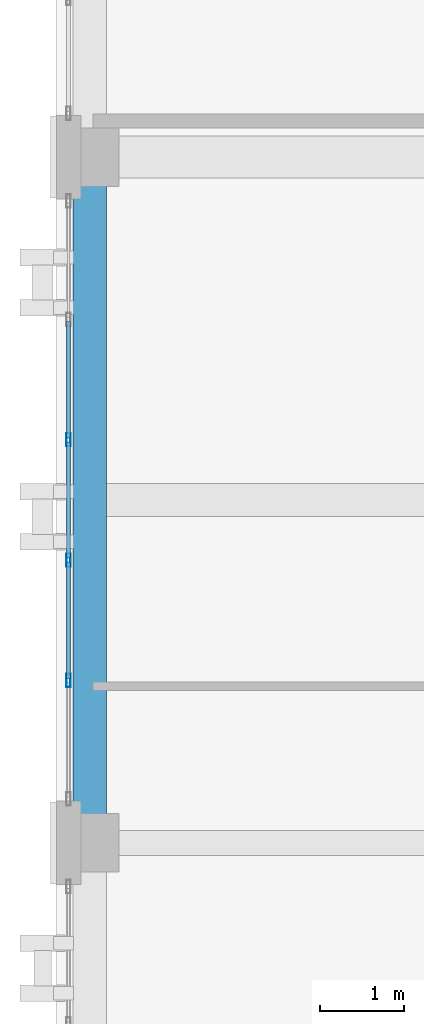
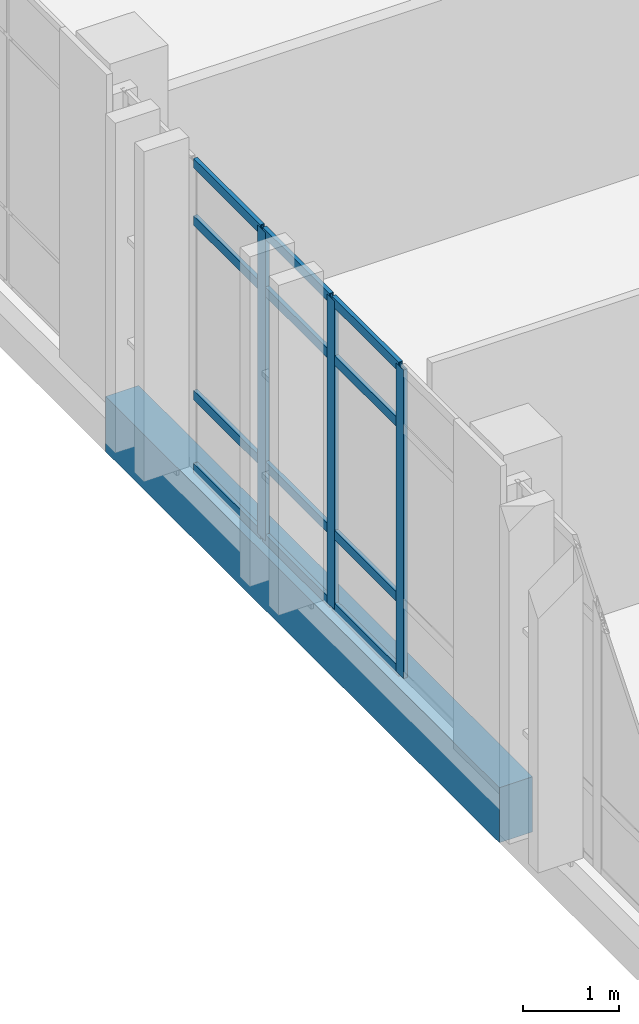
# One storey, part 73 of 165: 15 members, 1 beam, 1 element without a shape of its own.
"""IFC4 building model written with IfcOpenShell, lengths in metres."""

import ifcopenshell
import ifcopenshell.guid

model = None  # the IFC model being written
_history = None  # IfcOwnerHistory: only IFC2X3 demands one
_inside = {}  # id of a spatial element -> (the spatial element, [elements in it])
_under = {}  # id of a project, library or spatial element -> (it, [spatial elements below it])
_declared = {}  # id of a project -> (the project, [libraries it declares])
_typed = {}  # id of a type object -> (the type object, [elements of that type])
_made_of = {}  # id of a material, layer set ... -> (it, [elements and type objects made of it])


def new_model(schema):
    """Start an empty IFC model of exactly this schema.

    Asked for "IFC4X3", IfcOpenShell would pick the latest addendum, in which some entities
    have other attributes; the version numbers below select the first issue.
    IFC2X3 requires an IfcOwnerHistory on every rooted entity: one is made here for all.
    """
    global model, _history
    if schema == "IFC4X3":
        model = ifcopenshell.file(schema_version=(4, 3, 0, 0))
    else:
        model = ifcopenshell.file(schema=schema)
    _inside.clear()
    _under.clear()
    _declared.clear()
    _typed.clear()
    _made_of.clear()
    _history = None
    if model.schema == "IFC2X3":
        org = make("IfcOrganization", Name="unknown")
        user = make(
            "IfcPersonAndOrganization",
            ThePerson=make("IfcPerson", FamilyName="unknown"),
            TheOrganization=org,
        )
        app = make(
            "IfcApplication",
            ApplicationDeveloper=org,
            Version="unknown",
            ApplicationFullName="unknown",
            ApplicationIdentifier="unknown",
        )
        _history = make(
            "IfcOwnerHistory",
            OwningUser=user,
            OwningApplication=app,
            ChangeAction="ADDED",
            CreationDate=0,
        )
    return model


def make(cls, **values):
    """One entity of the class cls with the attributes given. An attribute that is None is left unset."""
    return model.create_entity(
        cls, **{name: value for name, value in values.items() if value is not None}
    )


def rooted(cls, **values):
    """An entity with a GlobalId (a new one), such as an element, a storey or a relation."""
    return make(cls, GlobalId=ifcopenshell.guid.new(), OwnerHistory=_history, **values)


def si_unit(unit_type, name, prefix=None):
    """IfcSIUnit, for example si_unit("LENGTHUNIT", "METRE", prefix="MILLI")."""
    return make("IfcSIUnit", UnitType=unit_type, Prefix=prefix, Name=name)


def assignment(units):
    """IfcUnitAssignment: the units of a project."""
    return None if units is None else make("IfcUnitAssignment", Units=units)


def point(xyz):
    """IfcCartesianPoint."""
    return None if xyz is None else make("IfcCartesianPoint", Coordinates=xyz)


def direction(xyz):
    """IfcDirection."""
    return None if xyz is None else make("IfcDirection", DirectionRatios=xyz)


def frame(location, z_axis=None, x_axis=None):
    """IfcAxis2Placement3D, a coordinate frame: its origin and axes. An axis left out is left unset."""
    return make(
        "IfcAxis2Placement3D",
        Location=point(location),
        Axis=direction(z_axis),
        RefDirection=direction(x_axis),
    )


def frame_2d(location, x_axis=None):
    """IfcAxis2Placement2D, a coordinate frame in the plane: its origin and x axis."""
    return make(
        "IfcAxis2Placement2D", Location=point(location), RefDirection=direction(x_axis)
    )


def origin():
    """The frame at (0, 0, 0) with its axes left unset."""
    return frame((0.0, 0.0, 0.0))


def origin_2d():
    """The frame at (0, 0) in the plane with its x axis left unset."""
    return frame_2d((0.0, 0.0))


def place(relative_to, where):
    """IfcLocalPlacement: puts the frame where relative to a parent placement (None: the world)."""
    return make(
        "IfcLocalPlacement", PlacementRelTo=relative_to, RelativePlacement=where
    )


def context(
    kind, dimensions, precision=None, world=None, true_north=None, identifier=None
):
    """IfcGeometricRepresentationContext, for example the 3D "Model" context."""
    return make(
        "IfcGeometricRepresentationContext",
        ContextIdentifier=identifier,
        ContextType=kind,
        CoordinateSpaceDimension=dimensions,
        Precision=precision,
        WorldCoordinateSystem=world,
        TrueNorth=true_north,
    )


def subcontext(parent, identifier, kind, view, scale=None):
    """IfcGeometricRepresentationSubContext, for example "Body" below "Model"."""
    return make(
        "IfcGeometricRepresentationSubContext",
        ContextIdentifier=identifier,
        ContextType=kind,
        ParentContext=parent,
        TargetScale=scale,
        TargetView=view,
    )


def project(units=None, contexts=None):
    """IfcProject with its units and contexts."""
    return rooted(
        "IfcProject",
        Name="project",
        RepresentationContexts=contexts,
        UnitsInContext=assignment(units),
    )


def spatial(cls, under=None, at=None, **own):
    """A site, building, storey or space (cls), placed at a placement, below another one or the project."""
    s = rooted(cls, ObjectPlacement=at, **own)
    if under is not None:
        _under.setdefault(under.id(), (under, []))[1].append(s)
    return s


def profile(cls, at=None, kind="AREA", **sizes):
    """A parametric profile (cls). Its sizes go by their IFC names, for example OverallWidth=200.0."""
    return make(cls, ProfileType=kind, Position=at, **sizes)


def rectangle(**sizes):
    """IfcRectangleProfileDef."""
    return profile("IfcRectangleProfileDef", **sizes)


def hollow_rectangle(**sizes):
    """IfcRectangleHollowProfileDef."""
    return profile("IfcRectangleHollowProfileDef", **sizes)


def extrude(swept, where, along, depth):
    """IfcExtrudedAreaSolid: the profile swept, set in the frame where, extruded along a direction by depth."""
    return make(
        "IfcExtrudedAreaSolid",
        SweptArea=swept,
        Position=where,
        ExtrudedDirection=direction(along),
        Depth=depth,
    )


def shape(context_of_items, identifier, shape_type, items):
    """IfcShapeRepresentation: the items that make up one representation, for example the "Body"."""
    return make(
        "IfcShapeRepresentation",
        ContextOfItems=context_of_items,
        RepresentationIdentifier=identifier,
        RepresentationType=shape_type,
        Items=items,
    )


def material(Name=None, Category=None):
    """IfcMaterial."""
    return make("IfcMaterial", Name=Name, Category=Category)


def layer(
    of_material, thickness, ventilated=None, Name=None, Category=None, Priority=None
):
    """IfcMaterialLayer: one layer of a wall or slab, of a material (None: an air gap)."""
    return make(
        "IfcMaterialLayer",
        Material=of_material,
        LayerThickness=thickness,
        IsVentilated=ventilated,
        Name=Name,
        Category=Category,
        Priority=Priority,
    )


def layer_set(layers, Name=None):
    """IfcMaterialLayerSet."""
    return make("IfcMaterialLayerSet", MaterialLayers=layers, LayerSetName=Name)


def material_profile(
    of_material, cross_section, Name=None, Category=None, Priority=None
):
    """IfcMaterialProfile: a cross section and its material."""
    return make(
        "IfcMaterialProfile",
        Name=Name,
        Material=of_material,
        Profile=cross_section,
        Priority=Priority,
        Category=Category,
    )


def profile_set(profiles, Name=None, composite=None):
    """IfcMaterialProfileSet."""
    return make(
        "IfcMaterialProfileSet",
        Name=Name,
        MaterialProfiles=profiles,
        CompositeProfile=composite,
    )


def made_of(thing, what):
    """Note that an element or type object is made of a material, layer set ...; save() writes the relation."""
    if what is not None:
        _made_of.setdefault(what.id(), (what, []))[1].append(thing)
    return thing


def type_object(cls, material=None, **own):
    """A type object (cls), such as IfcWallType, which elements share."""
    return made_of(rooted(cls, **own), material)


def element(
    cls,
    number,
    at=None,
    inside=None,
    cuts=None,
    type_object=None,
    material=None,
    context=None,
    identifier="Body",
    shape_type=None,
    held_by="IfcProductDefinitionShape",
    body=None,
    shapes=None,
    **own,
):
    """One element of the class cls, such as IfcWall. Its Tag is "e" and its number.

    at: its placement. inside: the storey or other place that contains it. cuts: it is an
    opening in that element (IfcRelVoidsElement). A single representation is given by context,
    identifier, shape_type and body (its items); several are given by shapes. held_by: the class
    of the entity that holds the representations. save() writes the other relations.
    """
    e = rooted(cls, Tag="e%d" % number, ObjectPlacement=at, **own)
    if body is not None:
        shapes = [shape(context, identifier, shape_type, body)]
    if shapes is not None:
        e.Representation = make(held_by, Representations=shapes)
    if inside is not None:
        _inside.setdefault(inside.id(), (inside, []))[1].append(e)
    if cuts is not None:
        rooted(
            "IfcRelVoidsElement", RelatingBuildingElement=cuts, RelatedOpeningElement=e
        )
    if type_object is not None:
        _typed.setdefault(type_object.id(), (type_object, []))[1].append(e)
    return made_of(e, material)


def aggregate(whole, parts):
    """IfcRelAggregates: a whole, such as a stair, and the parts it consists of."""
    return rooted("IfcRelAggregates", RelatingObject=whole, RelatedObjects=parts)


def save(model, path):
    """Write the relations noted so far, then the file.

    IfcRelAggregates (storeys below a building ...), IfcRelContainedInSpatialStructure (elements
    in a storey), IfcRelDefinesByType, IfcRelAssociatesMaterial and IfcRelDeclares: one each for
    every whole, place, type object, material and project.
    """
    for whole, parts in _under.values():
        aggregate(whole, parts)
    for where, things in _inside.values():
        rooted(
            "IfcRelContainedInSpatialStructure",
            RelatedElements=things,
            RelatingStructure=where,
        )
    for kind, things in _typed.values():
        rooted("IfcRelDefinesByType", RelatedObjects=things, RelatingType=kind)
    for what, things in _made_of.values():
        rooted("IfcRelAssociatesMaterial", RelatedObjects=things, RelatingMaterial=what)
    for by, libraries in _declared.values():
        rooted("IfcRelDeclares", RelatingContext=by, RelatedDefinitions=libraries)
    model.write(path)


model = new_model("IFC4")

# Units and contexts
model_context = context("Model", 3, precision=1e-05, world=origin(), true_north=direction((0.0, 1.0)))
body_context = subcontext(model_context, "Body", "Model", "MODEL_VIEW")
ifc_project = project(units=[si_unit("LENGTHUNIT", "METRE"), si_unit("AREAUNIT", "SQUARE_METRE"), si_unit("VOLUMEUNIT", "CUBIC_METRE"), si_unit("PLANEANGLEUNIT", "RADIAN"), si_unit("MASSUNIT", "GRAM", prefix="KILO")], contexts=[model_context])

# Site, building, storey
site_placement = place(None, origin())
site = spatial("IfcSite", under=ifc_project, at=site_placement, CompositionType="ELEMENT")
building_placement = place(site_placement, origin())
building = spatial("IfcBuilding", under=site, at=building_placement, Name="Qalavern Law Courts", CompositionType="ELEMENT")
storey_placement = place(building_placement, frame((0.0, 0.0, 14.39990234375)))
storey = spatial("IfcBuildingStorey", under=building, at=storey_placement, Name="L03", CompositionType="ELEMENT", Elevation=14.39990234375)

# Curtain wall, members
ifc_material_1 = material(Name="Anodised aluminium and insulated glazing", Category="aluminium")
ifc_layer = layer(ifc_material_1, 0.172119140625)
ifc_layer_set = layer_set([ifc_layer], Name="Anodised aluminium and insulated glazing")
curtain_wall_type = type_object("IfcCurtainWallType", Name="ENV-CW-COURT", PredefinedType="USERDEFINED", material=ifc_layer_set)
curtain_wall_placement = place(storey_placement, origin())
curtain_wall = element("IfcCurtainWall", 1, at=curtain_wall_placement, inside=storey, type_object=curtain_wall_type, Name="V3 unitised curtain wall L03 west 2", ObjectType="UNITISED CURTAIN WALL", PredefinedType="USERDEFINED")
ifc_material_2 = material(Name="Anodised aluminium", Category="aluminium")
ifc_material_profile_1 = material_profile(ifc_material_2, hollow_rectangle(XDim=0.048095703125, YDim=0.159912109375, WallThickness=0.00390625, at=origin_2d()), Name="ALU MULLION 48x160")
ifc_profile_set_1 = profile_set([ifc_material_profile_1], Name="Anodised aluminium")
member_type_1 = type_object("IfcMemberType", Name="ENV-CWM-48x160", PredefinedType="MULLION", material=ifc_profile_set_1)
member_1_placement = place(storey_placement, frame((2.1474609375, 84.219970703125, 0.0), z_axis=(0.0, 0.0, 1.0), x_axis=(1.0, 0.0, 0.0)))
member_1 = element("IfcMember", 2, at=member_1_placement, type_object=member_type_1, Name="CW-03 mullion 3", PredefinedType="MULLION", context=body_context, shape_type="SweptSolid", body=[
    extrude(hollow_rectangle(XDim=0.048095703125, YDim=0.159912109375, WallThickness=0.00390625, at=origin_2d()), origin(), (0.0, 0.0, 1.0), 3.920166015625),
])
member_2_placement = place(storey_placement, frame((2.1474609375, 82.780029296875, 0.0), z_axis=(0.0, 0.0, 1.0), x_axis=(1.0, 0.0, 0.0)))
member_2 = element("IfcMember", 3, at=member_2_placement, type_object=member_type_1, Name="CW-03 mullion 4", PredefinedType="MULLION", context=body_context, shape_type="SweptSolid", body=[
    extrude(hollow_rectangle(XDim=0.048095703125, YDim=0.159912109375, WallThickness=0.00390625, at=origin_2d()), origin(), (0.0, 0.0, 1.0), 3.920166015625),
])
member_3_placement = place(storey_placement, frame((2.1474609375, 81.340087890625, 0.0), z_axis=(0.0, 0.0, 1.0), x_axis=(1.0, 0.0, 0.0)))
member_3 = element("IfcMember", 4, at=member_3_placement, type_object=member_type_1, Name="CW-03 mullion 5", PredefinedType="MULLION", context=body_context, shape_type="SweptSolid", body=[
    extrude(hollow_rectangle(XDim=0.048095703125, YDim=0.159912109375, WallThickness=0.00390625, at=origin_2d()), origin(), (0.0, 0.0, 1.0), 3.920166015625),
])
ifc_material_profile_2 = material_profile(ifc_material_2, hollow_rectangle(XDim=0.048095703125, YDim=0.1201171875, WallThickness=0.00390625, at=origin_2d()), Name="ALU TRANSOM 48x120")
ifc_profile_set_2 = profile_set([ifc_material_profile_2], Name="Anodised aluminium")
member_type_2 = type_object("IfcMemberType", Name="ENV-CWT-48x120", PredefinedType="USERDEFINED", material=ifc_profile_set_2)
member_4_placement = place(storey_placement, frame((2.1474609375, 85.635986328125, 0.024169921875), z_axis=(0.0, -1.0, 0.0), x_axis=(1.0, 0.0, 0.0)))
member_4 = element("IfcMember", 5, at=member_4_placement, type_object=member_type_2, Name="CW-03 transom 2.1", ObjectType="TRANSOM", PredefinedType="USERDEFINED", context=body_context, shape_type="SweptSolid", body=[
    extrude(hollow_rectangle(XDim=0.048095703125, YDim=0.1201171875, WallThickness=0.00390625, at=origin_2d()), origin(), (0.0, 0.0, 1.0), 1.39208984375),
])
member_5_placement = place(storey_placement, frame((2.1474609375, 85.635986328125, 0.9501953125), z_axis=(0.0, -1.0, 0.0), x_axis=(1.0, 0.0, 0.0)))
member_5 = element("IfcMember", 6, at=member_5_placement, type_object=member_type_2, Name="CW-03 transom 2.2", ObjectType="TRANSOM", PredefinedType="USERDEFINED", context=body_context, shape_type="SweptSolid", body=[
    extrude(hollow_rectangle(XDim=0.048095703125, YDim=0.1201171875, WallThickness=0.00390625, at=origin_2d()), origin(), (0.0, 0.0, 1.0), 1.39208984375),
])
member_6_placement = place(storey_placement, frame((2.1474609375, 85.635986328125, 3.170166015625), z_axis=(0.0, -1.0, 0.0), x_axis=(1.0, 0.0, 0.0)))
member_6 = element("IfcMember", 7, at=member_6_placement, type_object=member_type_2, Name="CW-03 transom 2.3", ObjectType="TRANSOM", PredefinedType="USERDEFINED", context=body_context, shape_type="SweptSolid", body=[
    extrude(hollow_rectangle(XDim=0.048095703125, YDim=0.1201171875, WallThickness=0.00390625, at=origin_2d()), origin(), (0.0, 0.0, 1.0), 1.39208984375),
])
member_7_placement = place(storey_placement, frame((2.1474609375, 85.635986328125, 3.89599609375), z_axis=(0.0, -1.0, 0.0), x_axis=(1.0, 0.0, 0.0)))
member_7 = element("IfcMember", 8, at=member_7_placement, type_object=member_type_2, Name="CW-03 transom 2.4", ObjectType="TRANSOM", PredefinedType="USERDEFINED", context=body_context, shape_type="SweptSolid", body=[
    extrude(hollow_rectangle(XDim=0.048095703125, YDim=0.1201171875, WallThickness=0.00390625, at=origin_2d()), origin(), (0.0, 0.0, 1.0), 1.39208984375),
])
member_8_placement = place(storey_placement, frame((2.1474609375, 84.196044921875, 0.024169921875), z_axis=(0.0, -1.0, 0.0), x_axis=(1.0, 0.0, 0.0)))
member_8 = element("IfcMember", 9, at=member_8_placement, type_object=member_type_2, Name="CW-03 transom 3.1", ObjectType="TRANSOM", PredefinedType="USERDEFINED", context=body_context, shape_type="SweptSolid", body=[
    extrude(hollow_rectangle(XDim=0.048095703125, YDim=0.1201171875, WallThickness=0.00390625, at=origin_2d()), origin(), (0.0, 0.0, 1.0), 1.39208984375),
])
member_9_placement = place(storey_placement, frame((2.1474609375, 84.196044921875, 0.9501953125), z_axis=(0.0, -1.0, 0.0), x_axis=(1.0, 0.0, 0.0)))
member_9 = element("IfcMember", 10, at=member_9_placement, type_object=member_type_2, Name="CW-03 transom 3.2", ObjectType="TRANSOM", PredefinedType="USERDEFINED", context=body_context, shape_type="SweptSolid", body=[
    extrude(hollow_rectangle(XDim=0.048095703125, YDim=0.1201171875, WallThickness=0.00390625, at=origin_2d()), origin(), (0.0, 0.0, 1.0), 1.39208984375),
])
member_10_placement = place(storey_placement, frame((2.1474609375, 84.196044921875, 3.170166015625), z_axis=(0.0, -1.0, 0.0), x_axis=(1.0, 0.0, 0.0)))
member_10 = element("IfcMember", 11, at=member_10_placement, type_object=member_type_2, Name="CW-03 transom 3.3", ObjectType="TRANSOM", PredefinedType="USERDEFINED", context=body_context, shape_type="SweptSolid", body=[
    extrude(hollow_rectangle(XDim=0.048095703125, YDim=0.1201171875, WallThickness=0.00390625, at=origin_2d()), origin(), (0.0, 0.0, 1.0), 1.39208984375),
])
member_11_placement = place(storey_placement, frame((2.1474609375, 84.196044921875, 3.89599609375), z_axis=(0.0, -1.0, 0.0), x_axis=(1.0, 0.0, 0.0)))
member_11 = element("IfcMember", 12, at=member_11_placement, type_object=member_type_2, Name="CW-03 transom 3.4", ObjectType="TRANSOM", PredefinedType="USERDEFINED", context=body_context, shape_type="SweptSolid", body=[
    extrude(hollow_rectangle(XDim=0.048095703125, YDim=0.1201171875, WallThickness=0.00390625, at=origin_2d()), origin(), (0.0, 0.0, 1.0), 1.39208984375),
])
member_12_placement = place(storey_placement, frame((2.1474609375, 82.756103515625, 0.024169921875), z_axis=(0.0, -1.0, 0.0), x_axis=(1.0, 0.0, 0.0)))
member_12 = element("IfcMember", 13, at=member_12_placement, type_object=member_type_2, Name="CW-03 transom 4.1", ObjectType="TRANSOM", PredefinedType="USERDEFINED", context=body_context, shape_type="SweptSolid", body=[
    extrude(hollow_rectangle(XDim=0.048095703125, YDim=0.1201171875, WallThickness=0.00390625, at=origin_2d()), origin(), (0.0, 0.0, 1.0), 1.39208984375),
])
member_13_placement = place(storey_placement, frame((2.1474609375, 82.756103515625, 0.9501953125), z_axis=(0.0, -1.0, 0.0), x_axis=(1.0, 0.0, 0.0)))
member_13 = element("IfcMember", 14, at=member_13_placement, type_object=member_type_2, Name="CW-03 transom 4.2", ObjectType="TRANSOM", PredefinedType="USERDEFINED", context=body_context, shape_type="SweptSolid", body=[
    extrude(hollow_rectangle(XDim=0.048095703125, YDim=0.1201171875, WallThickness=0.00390625, at=origin_2d()), origin(), (0.0, 0.0, 1.0), 1.39208984375),
])
member_14_placement = place(storey_placement, frame((2.1474609375, 82.756103515625, 3.170166015625), z_axis=(0.0, -1.0, 0.0), x_axis=(1.0, 0.0, 0.0)))
member_14 = element("IfcMember", 15, at=member_14_placement, type_object=member_type_2, Name="CW-03 transom 4.3", ObjectType="TRANSOM", PredefinedType="USERDEFINED", context=body_context, shape_type="SweptSolid", body=[
    extrude(hollow_rectangle(XDim=0.048095703125, YDim=0.1201171875, WallThickness=0.00390625, at=origin_2d()), origin(), (0.0, 0.0, 1.0), 1.39208984375),
])
member_15_placement = place(storey_placement, frame((2.1474609375, 82.756103515625, 3.89599609375), z_axis=(0.0, -1.0, 0.0), x_axis=(1.0, 0.0, 0.0)))
member_15 = element("IfcMember", 16, at=member_15_placement, type_object=member_type_2, Name="CW-03 transom 4.4", ObjectType="TRANSOM", PredefinedType="USERDEFINED", context=body_context, shape_type="SweptSolid", body=[
    extrude(hollow_rectangle(XDim=0.048095703125, YDim=0.1201171875, WallThickness=0.00390625, at=origin_2d()), origin(), (0.0, 0.0, 1.0), 1.39208984375),
])
aggregate(curtain_wall, [member_1, member_2, member_3, member_4, member_5, member_6, member_7, member_8, member_9, member_10, member_11, member_12, member_13, member_14, member_15])

# Beam
ifc_material_3 = material(Name="Concrete C40/50", Category="concrete")
ifc_material_profile_3 = material_profile(ifc_material_3, rectangle(XDim=0.39990234375, YDim=0.699951171875, at=origin_2d()), Name="RC 400x700")
ifc_profile_set_3 = profile_set([ifc_material_profile_3], Name="Concrete C40/50")
beam_type = type_object("IfcBeamType", Name="STR-SP-RC400x700", PredefinedType="SPANDREL", material=ifc_profile_set_3)
beam_placement = place(storey_placement, frame((2.39990234375, 79.39990234375, -0.635009765625), z_axis=(0.0, 1.0, 0.0), x_axis=(-1.0, 0.0, 0.0)))
element("IfcBeam", 17, at=beam_placement, inside=storey, type_object=beam_type, Name="V3 Y-beam 1-6 L03", PredefinedType="SPANDREL", context=body_context, shape_type="SweptSolid", body=[
    extrude(rectangle(XDim=0.39990234375, YDim=0.699951171875, at=origin_2d()), origin(), (0.0, 0.0, 1.0), 8.2001953125),
])

save(model, "model.ifc")
